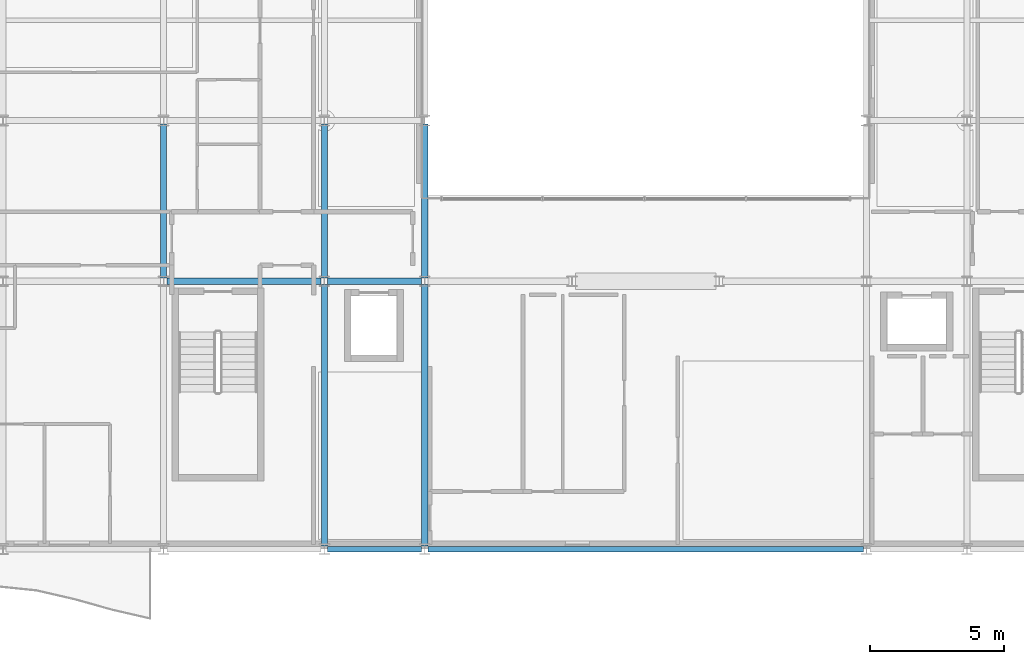
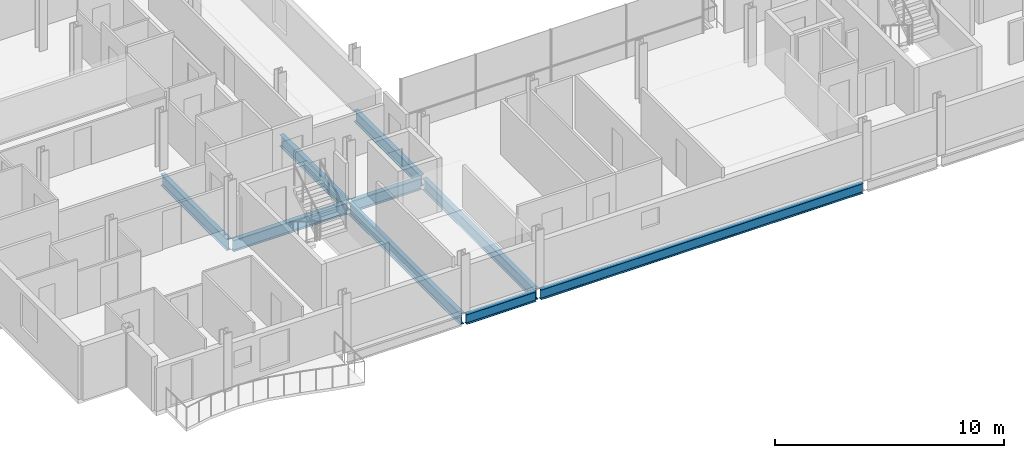
# One storey, part 5 of 41: 9 beams.
"""IFC4 building model written with IfcOpenShell, lengths in metres."""

from ifc_helpers import new_model, si_unit, direction, frame, origin, origin_2d, place, context, subcontext, project, spatial, i_section, extrude, material, material_profile, profile_set, type_object, element, save


model = new_model("IFC4")

# Units and contexts
model_context = context("Model", 3, precision=1e-05, world=origin(), true_north=direction((0.0, 1.0)))
body_context = subcontext(model_context, "Body", "Model", "MODEL_VIEW")
ifc_project = project(units=[si_unit("LENGTHUNIT", "METRE"), si_unit("AREAUNIT", "SQUARE_METRE"), si_unit("VOLUMEUNIT", "CUBIC_METRE"), si_unit("PLANEANGLEUNIT", "RADIAN"), si_unit("MASSUNIT", "GRAM", prefix="KILO")], contexts=[model_context])

# Site, building, storey
site_placement = place(None, origin())
site = spatial("IfcSite", under=ifc_project, at=site_placement, CompositionType="ELEMENT")
building_placement = place(site_placement, origin())
building = spatial("IfcBuilding", under=site, at=building_placement, Name="Brevholm Reach", CompositionType="ELEMENT")
storey_placement = place(building_placement, frame((0.0, 0.0, 157.300048828125)))
storey = spatial("IfcBuildingStorey", under=building, at=storey_placement, Name="L47", CompositionType="ELEMENT", Elevation=157.300048828125)

# Beams
ifc_material_1 = material(Name="Structural Steel S355J2", Category="steel")
ifc_material_profile_1 = material_profile(ifc_material_1, i_section(OverallWidth=0.209228515625, OverallDepth=0.533203125, WebThickness=0.010009765625, FlangeThickness=0.015625, FilletRadius=0.0126953125, at=origin_2d()), Name="UKB 533x210x92")
ifc_profile_set_1 = profile_set([ifc_material_profile_1], Name="Structural Steel S355J2")
beam_type_1 = type_object("IfcBeamType", Name="BM-SP533", PredefinedType="SPANDREL", material=ifc_profile_set_1)
beam_1_placement = place(storey_placement, frame((18.1201171875, 0.0, -0.486572265625), z_axis=(1.0, 0.0, 0.0), x_axis=(0.0, 1.0, 0.0)))
element("IfcBeam", 1, at=beam_1_placement, inside=storey, type_object=beam_type_1, Name="L47 SP-02 Framing Beam", PredefinedType="SPANDREL", context=body_context, shape_type="SweptSolid", body=[
    extrude(i_section(OverallWidth=0.209228515625, OverallDepth=0.533203125, WebThickness=0.010009765625, FlangeThickness=0.015625, FilletRadius=0.0126953125, at=origin_2d()), origin(), (0.0, 0.0, 1.0), 3.509765625),
])
beam_2_placement = place(storey_placement, frame((21.8701171875, 0.0, -0.486572265625), z_axis=(1.0, 0.0, 0.0), x_axis=(0.0, 1.0, 0.0)))
element("IfcBeam", 2, at=beam_2_placement, inside=storey, type_object=beam_type_1, Name="L47 SP-02 Framing Beam", PredefinedType="SPANDREL", context=body_context, shape_type="SweptSolid", body=[
    extrude(i_section(OverallWidth=0.209228515625, OverallDepth=0.533203125, WebThickness=0.010009765625, FlangeThickness=0.015625, FilletRadius=0.0126953125, at=origin_2d()), origin(), (0.0, 0.0, 1.0), 16.259765625),
])
ifc_material_2 = material(Name="Structural Steel S355J2", Category="steel")
ifc_material_profile_2 = material_profile(ifc_material_2, i_section(OverallWidth=0.22900390625, OverallDepth=0.6123046875, WebThickness=0.011962890625, FlangeThickness=0.01953125, FilletRadius=0.0126953125, at=origin_2d()), Name="UKB 610x229x125")
ifc_profile_set_2 = profile_set([ifc_material_profile_2], Name="Structural Steel S355J2")
beam_type_2 = type_object("IfcBeamType", Name="BM-SP610", PredefinedType="SPANDREL", material=ifc_profile_set_2)
beam_3_placement = place(storey_placement, frame((12.1201171875, 10.0, -0.526123046875), z_axis=(1.0, 0.0, 0.0), x_axis=(0.0, 1.0, 0.0)))
element("IfcBeam", 3, at=beam_3_placement, inside=storey, type_object=beam_type_2, Name="L47 SP-01 Framing Beam", PredefinedType="SPANDREL", context=body_context, shape_type="SweptSolid", body=[
    extrude(i_section(OverallWidth=0.22900390625, OverallDepth=0.6123046875, WebThickness=0.011962890625, FlangeThickness=0.01953125, FilletRadius=0.0126953125, at=origin_2d()), origin(), (0.0, 0.0, 1.0), 5.759765625),
])
beam_4_placement = place(storey_placement, frame((18.1201171875, 10.0, -0.526123046875), z_axis=(1.0, 0.0, 0.0), x_axis=(0.0, 1.0, 0.0)))
element("IfcBeam", 4, at=beam_4_placement, inside=storey, type_object=beam_type_2, Name="L47 SP-01 Framing Beam", PredefinedType="SPANDREL", context=body_context, shape_type="SweptSolid", body=[
    extrude(i_section(OverallWidth=0.22900390625, OverallDepth=0.6123046875, WebThickness=0.011962890625, FlangeThickness=0.01953125, FilletRadius=0.0126953125, at=origin_2d()), origin(), (0.0, 0.0, 1.0), 3.509765625),
])
beam_5_placement = place(storey_placement, frame((12.0, 10.1201171875, -0.526123046875), z_axis=(0.0, 1.0, 0.0), x_axis=(-1.0, 0.0, 0.0)))
element("IfcBeam", 5, at=beam_5_placement, inside=storey, type_object=beam_type_2, Name="L47 SP-01 Framing Beam", PredefinedType="SPANDREL", context=body_context, shape_type="SweptSolid", body=[
    extrude(i_section(OverallWidth=0.22900390625, OverallDepth=0.6123046875, WebThickness=0.011962890625, FlangeThickness=0.01953125, FilletRadius=0.0126953125, at=origin_2d()), origin(), (0.0, 0.0, 1.0), 5.759765625),
])
beam_6_placement = place(storey_placement, frame((18.0, 0.1201171875, -0.526123046875), z_axis=(0.0, 1.0, 0.0), x_axis=(-1.0, 0.0, 0.0)))
element("IfcBeam", 6, at=beam_6_placement, inside=storey, type_object=beam_type_2, Name="L47 SP-01 Framing Beam", PredefinedType="SPANDREL", context=body_context, shape_type="SweptSolid", body=[
    extrude(i_section(OverallWidth=0.22900390625, OverallDepth=0.6123046875, WebThickness=0.011962890625, FlangeThickness=0.01953125, FilletRadius=0.0126953125, at=origin_2d()), origin(), (0.0, 0.0, 1.0), 9.759765625),
])
beam_7_placement = place(storey_placement, frame((18.0, 10.1201171875, -0.526123046875), z_axis=(0.0, 1.0, 0.0), x_axis=(-1.0, 0.0, 0.0)))
element("IfcBeam", 7, at=beam_7_placement, inside=storey, type_object=beam_type_2, Name="L47 SP-01 Framing Beam", PredefinedType="SPANDREL", context=body_context, shape_type="SweptSolid", body=[
    extrude(i_section(OverallWidth=0.22900390625, OverallDepth=0.6123046875, WebThickness=0.011962890625, FlangeThickness=0.01953125, FilletRadius=0.0126953125, at=origin_2d()), origin(), (0.0, 0.0, 1.0), 5.759765625),
])
beam_8_placement = place(storey_placement, frame((21.75, 0.1201171875, -0.526123046875), z_axis=(0.0, 1.0, 0.0), x_axis=(-1.0, 0.0, 0.0)))
element("IfcBeam", 8, at=beam_8_placement, inside=storey, type_object=beam_type_2, Name="L47 SP-01 Framing Beam", PredefinedType="SPANDREL", context=body_context, shape_type="SweptSolid", body=[
    extrude(i_section(OverallWidth=0.22900390625, OverallDepth=0.6123046875, WebThickness=0.011962890625, FlangeThickness=0.01953125, FilletRadius=0.0126953125, at=origin_2d()), origin(), (0.0, 0.0, 1.0), 9.759765625),
])
beam_9_placement = place(storey_placement, frame((21.75, 10.1201171875, -0.526123046875), z_axis=(0.0, 1.0, 0.0), x_axis=(-1.0, 0.0, 0.0)))
element("IfcBeam", 9, at=beam_9_placement, inside=storey, type_object=beam_type_2, Name="L47 SP-01 Framing Beam", PredefinedType="SPANDREL", context=body_context, shape_type="SweptSolid", body=[
    extrude(i_section(OverallWidth=0.22900390625, OverallDepth=0.6123046875, WebThickness=0.011962890625, FlangeThickness=0.01953125, FilletRadius=0.0126953125, at=origin_2d()), origin(), (0.0, 0.0, 1.0), 5.759765625),
])

save(model, "model.ifc")
